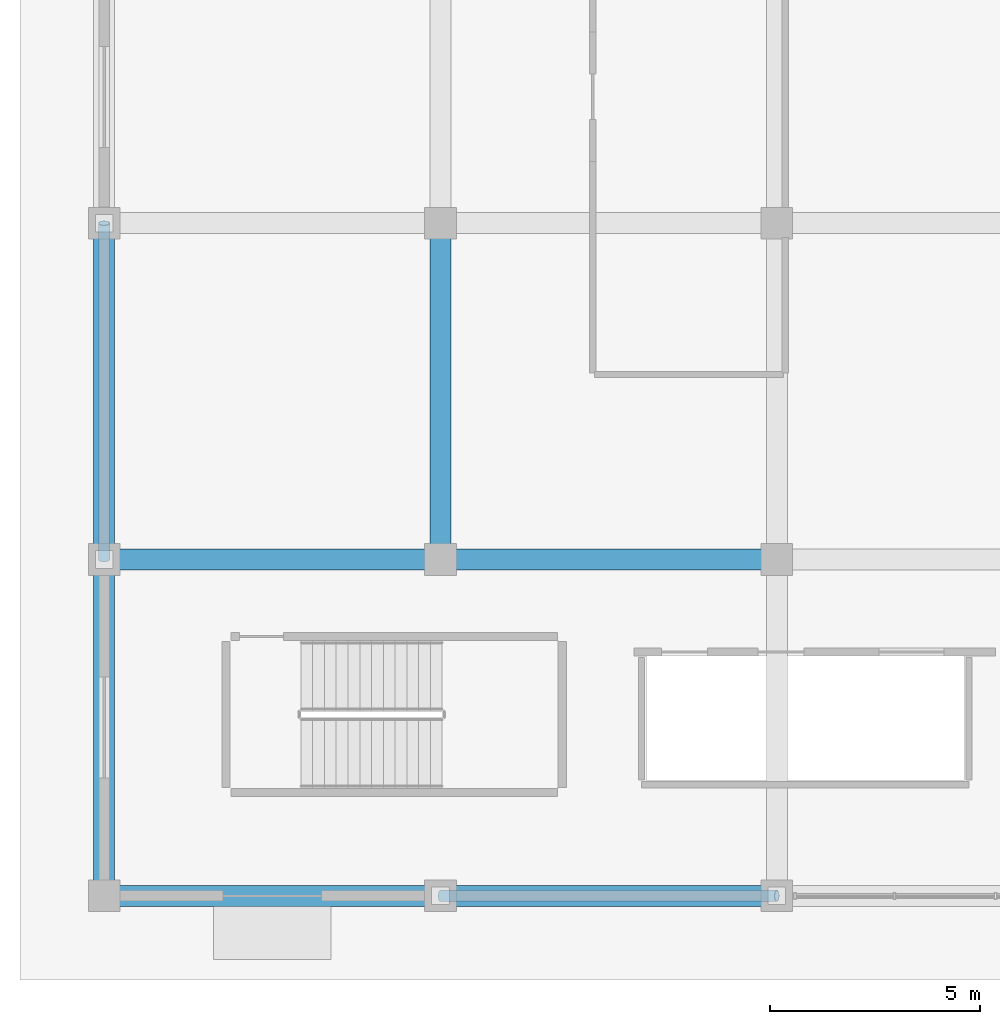
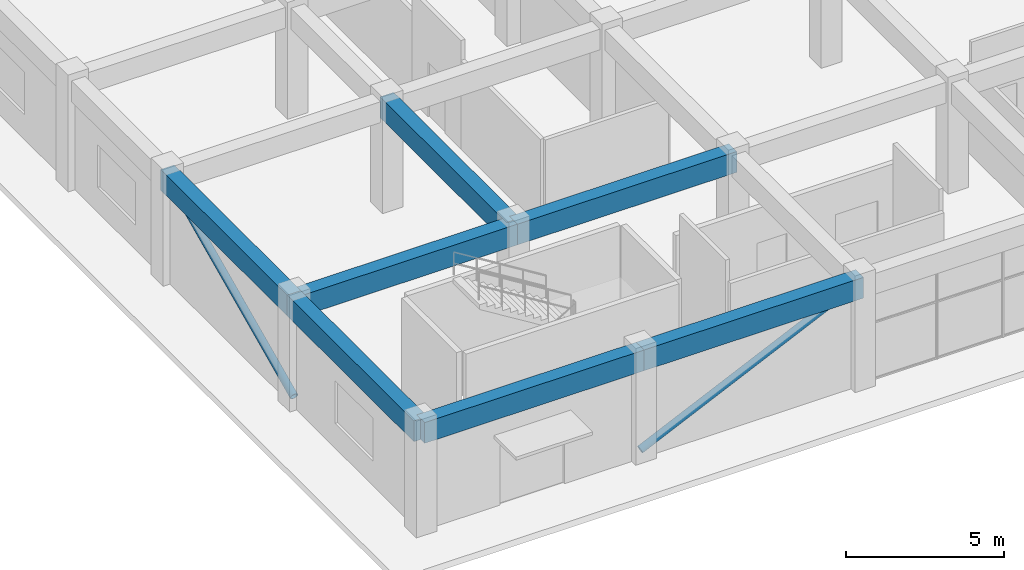
# One storey, part 5 of 40: 7 beams, 2 members.
"""IFC4 building model written with IfcOpenShell, lengths in metres."""

import ifcopenshell
import ifcopenshell.guid

model = None  # the IFC model being written
_history = None  # IfcOwnerHistory: only IFC2X3 demands one
_inside = {}  # id of a spatial element -> (the spatial element, [elements in it])
_under = {}  # id of a project, library or spatial element -> (it, [spatial elements below it])
_declared = {}  # id of a project -> (the project, [libraries it declares])
_typed = {}  # id of a type object -> (the type object, [elements of that type])
_made_of = {}  # id of a material, layer set ... -> (it, [elements and type objects made of it])


def new_model(schema):
    """Start an empty IFC model of exactly this schema.

    Asked for "IFC4X3", IfcOpenShell would pick the latest addendum, in which some entities
    have other attributes; the version numbers below select the first issue.
    IFC2X3 requires an IfcOwnerHistory on every rooted entity: one is made here for all.
    """
    global model, _history
    if schema == "IFC4X3":
        model = ifcopenshell.file(schema_version=(4, 3, 0, 0))
    else:
        model = ifcopenshell.file(schema=schema)
    _inside.clear()
    _under.clear()
    _declared.clear()
    _typed.clear()
    _made_of.clear()
    _history = None
    if model.schema == "IFC2X3":
        org = make("IfcOrganization", Name="unknown")
        user = make(
            "IfcPersonAndOrganization",
            ThePerson=make("IfcPerson", FamilyName="unknown"),
            TheOrganization=org,
        )
        app = make(
            "IfcApplication",
            ApplicationDeveloper=org,
            Version="unknown",
            ApplicationFullName="unknown",
            ApplicationIdentifier="unknown",
        )
        _history = make(
            "IfcOwnerHistory",
            OwningUser=user,
            OwningApplication=app,
            ChangeAction="ADDED",
            CreationDate=0,
        )
    return model


def make(cls, **values):
    """One entity of the class cls with the attributes given. An attribute that is None is left unset."""
    return model.create_entity(
        cls, **{name: value for name, value in values.items() if value is not None}
    )


def rooted(cls, **values):
    """An entity with a GlobalId (a new one), such as an element, a storey or a relation."""
    return make(cls, GlobalId=ifcopenshell.guid.new(), OwnerHistory=_history, **values)


def si_unit(unit_type, name, prefix=None):
    """IfcSIUnit, for example si_unit("LENGTHUNIT", "METRE", prefix="MILLI")."""
    return make("IfcSIUnit", UnitType=unit_type, Prefix=prefix, Name=name)


def assignment(units):
    """IfcUnitAssignment: the units of a project."""
    return None if units is None else make("IfcUnitAssignment", Units=units)


def point(xyz):
    """IfcCartesianPoint."""
    return None if xyz is None else make("IfcCartesianPoint", Coordinates=xyz)


def direction(xyz):
    """IfcDirection."""
    return None if xyz is None else make("IfcDirection", DirectionRatios=xyz)


def frame(location, z_axis=None, x_axis=None):
    """IfcAxis2Placement3D, a coordinate frame: its origin and axes. An axis left out is left unset."""
    return make(
        "IfcAxis2Placement3D",
        Location=point(location),
        Axis=direction(z_axis),
        RefDirection=direction(x_axis),
    )


def frame_2d(location, x_axis=None):
    """IfcAxis2Placement2D, a coordinate frame in the plane: its origin and x axis."""
    return make(
        "IfcAxis2Placement2D", Location=point(location), RefDirection=direction(x_axis)
    )


def origin():
    """The frame at (0, 0, 0) with its axes left unset."""
    return frame((0.0, 0.0, 0.0))


def origin_2d():
    """The frame at (0, 0) in the plane with its x axis left unset."""
    return frame_2d((0.0, 0.0))


def place(relative_to, where):
    """IfcLocalPlacement: puts the frame where relative to a parent placement (None: the world)."""
    return make(
        "IfcLocalPlacement", PlacementRelTo=relative_to, RelativePlacement=where
    )


def context(
    kind, dimensions, precision=None, world=None, true_north=None, identifier=None
):
    """IfcGeometricRepresentationContext, for example the 3D "Model" context."""
    return make(
        "IfcGeometricRepresentationContext",
        ContextIdentifier=identifier,
        ContextType=kind,
        CoordinateSpaceDimension=dimensions,
        Precision=precision,
        WorldCoordinateSystem=world,
        TrueNorth=true_north,
    )


def subcontext(parent, identifier, kind, view, scale=None):
    """IfcGeometricRepresentationSubContext, for example "Body" below "Model"."""
    return make(
        "IfcGeometricRepresentationSubContext",
        ContextIdentifier=identifier,
        ContextType=kind,
        ParentContext=parent,
        TargetScale=scale,
        TargetView=view,
    )


def project(units=None, contexts=None):
    """IfcProject with its units and contexts."""
    return rooted(
        "IfcProject",
        Name="project",
        RepresentationContexts=contexts,
        UnitsInContext=assignment(units),
    )


def spatial(cls, under=None, at=None, **own):
    """A site, building, storey or space (cls), placed at a placement, below another one or the project."""
    s = rooted(cls, ObjectPlacement=at, **own)
    if under is not None:
        _under.setdefault(under.id(), (under, []))[1].append(s)
    return s


def profile(cls, at=None, kind="AREA", **sizes):
    """A parametric profile (cls). Its sizes go by their IFC names, for example OverallWidth=200.0."""
    return make(cls, ProfileType=kind, Position=at, **sizes)


def rectangle(**sizes):
    """IfcRectangleProfileDef."""
    return profile("IfcRectangleProfileDef", **sizes)


def hollow_circle(**sizes):
    """IfcCircleHollowProfileDef."""
    return profile("IfcCircleHollowProfileDef", **sizes)


def extrude(swept, where, along, depth):
    """IfcExtrudedAreaSolid: the profile swept, set in the frame where, extruded along a direction by depth."""
    return make(
        "IfcExtrudedAreaSolid",
        SweptArea=swept,
        Position=where,
        ExtrudedDirection=direction(along),
        Depth=depth,
    )


def shape(context_of_items, identifier, shape_type, items):
    """IfcShapeRepresentation: the items that make up one representation, for example the "Body"."""
    return make(
        "IfcShapeRepresentation",
        ContextOfItems=context_of_items,
        RepresentationIdentifier=identifier,
        RepresentationType=shape_type,
        Items=items,
    )


def material(Name=None, Category=None):
    """IfcMaterial."""
    return make("IfcMaterial", Name=Name, Category=Category)


def material_profile(
    of_material, cross_section, Name=None, Category=None, Priority=None
):
    """IfcMaterialProfile: a cross section and its material."""
    return make(
        "IfcMaterialProfile",
        Name=Name,
        Material=of_material,
        Profile=cross_section,
        Priority=Priority,
        Category=Category,
    )


def profile_set(profiles, Name=None, composite=None):
    """IfcMaterialProfileSet."""
    return make(
        "IfcMaterialProfileSet",
        Name=Name,
        MaterialProfiles=profiles,
        CompositeProfile=composite,
    )


def made_of(thing, what):
    """Note that an element or type object is made of a material, layer set ...; save() writes the relation."""
    if what is not None:
        _made_of.setdefault(what.id(), (what, []))[1].append(thing)
    return thing


def type_object(cls, material=None, **own):
    """A type object (cls), such as IfcWallType, which elements share."""
    return made_of(rooted(cls, **own), material)


def element(
    cls,
    number,
    at=None,
    inside=None,
    cuts=None,
    type_object=None,
    material=None,
    context=None,
    identifier="Body",
    shape_type=None,
    held_by="IfcProductDefinitionShape",
    body=None,
    shapes=None,
    **own,
):
    """One element of the class cls, such as IfcWall. Its Tag is "e" and its number.

    at: its placement. inside: the storey or other place that contains it. cuts: it is an
    opening in that element (IfcRelVoidsElement). A single representation is given by context,
    identifier, shape_type and body (its items); several are given by shapes. held_by: the class
    of the entity that holds the representations. save() writes the other relations.
    """
    e = rooted(cls, Tag="e%d" % number, ObjectPlacement=at, **own)
    if body is not None:
        shapes = [shape(context, identifier, shape_type, body)]
    if shapes is not None:
        e.Representation = make(held_by, Representations=shapes)
    if inside is not None:
        _inside.setdefault(inside.id(), (inside, []))[1].append(e)
    if cuts is not None:
        rooted(
            "IfcRelVoidsElement", RelatingBuildingElement=cuts, RelatedOpeningElement=e
        )
    if type_object is not None:
        _typed.setdefault(type_object.id(), (type_object, []))[1].append(e)
    return made_of(e, material)


def aggregate(whole, parts):
    """IfcRelAggregates: a whole, such as a stair, and the parts it consists of."""
    return rooted("IfcRelAggregates", RelatingObject=whole, RelatedObjects=parts)


def save(model, path):
    """Write the relations noted so far, then the file.

    IfcRelAggregates (storeys below a building ...), IfcRelContainedInSpatialStructure (elements
    in a storey), IfcRelDefinesByType, IfcRelAssociatesMaterial and IfcRelDeclares: one each for
    every whole, place, type object, material and project.
    """
    for whole, parts in _under.values():
        aggregate(whole, parts)
    for where, things in _inside.values():
        rooted(
            "IfcRelContainedInSpatialStructure",
            RelatedElements=things,
            RelatingStructure=where,
        )
    for kind, things in _typed.values():
        rooted("IfcRelDefinesByType", RelatedObjects=things, RelatingType=kind)
    for what, things in _made_of.values():
        rooted("IfcRelAssociatesMaterial", RelatedObjects=things, RelatingMaterial=what)
    for by, libraries in _declared.values():
        rooted("IfcRelDeclares", RelatingContext=by, RelatedDefinitions=libraries)
    model.write(path)


model = new_model("IFC4")

# Units and contexts
model_context = context("Model", 3, precision=1e-05, world=origin(), true_north=direction((0.0, 1.0)))
body_context = subcontext(model_context, "Body", "Model", "MODEL_VIEW")
ifc_project = project(units=[si_unit("LENGTHUNIT", "METRE"), si_unit("AREAUNIT", "SQUARE_METRE"), si_unit("VOLUMEUNIT", "CUBIC_METRE"), si_unit("PLANEANGLEUNIT", "RADIAN"), si_unit("MASSUNIT", "GRAM", prefix="KILO")], contexts=[model_context])

# Site, building, storey
site_placement = place(None, origin())
site = spatial("IfcSite", under=ifc_project, at=site_placement, CompositionType="ELEMENT")
building_placement = place(site_placement, origin())
building = spatial("IfcBuilding", under=site, at=building_placement, Name="Kelanora Arch Commons", CompositionType="ELEMENT")
storey_placement = place(building_placement, origin())
storey = spatial("IfcBuildingStorey", under=building, at=storey_placement, Name="L00", CompositionType="ELEMENT", Elevation=0.0)

# Beams
ifc_material_1 = material(Name="Concrete C40/50", Category="concrete")
ifc_material_profile_1 = material_profile(ifc_material_1, rectangle(XDim=0.5, YDim=0.800048828125, at=origin_2d()), Name="RCB500x800")
ifc_profile_set_1 = profile_set([ifc_material_profile_1], Name="Concrete C40/50")
beam_type = type_object("IfcBeamType", Name="BM-MKT-RC1", PredefinedType="BEAM", material=ifc_profile_set_1)
for number, where, z_axis, x_axis, name in (
    (1, (4.0, 4.0, 3.840087890625), (1.0, 0.0, 0.0), (0.0, 1.0, 0.0), "Market/Basement Frame Beam 001 L00"),
    (2, (4.0, 4.0, 3.840087890625), (0.0, 1.0, 0.0), (-1.0, 0.0, 0.0), "Market/Basement Frame Beam 002 L00"),
    (3, (4.0, 12.0, 3.840087890625), (1.0, 0.0, 0.0), (0.0, 1.0, 0.0), "Market/Basement Frame Beam 003 L00"),
    (4, (4.0, 12.0, 3.840087890625), (0.0, 1.0, 0.0), (-1.0, 0.0, 0.0), "Market/Basement Frame Beam 004 L00"),
    (5, (12.0, 4.0, 3.840087890625), (1.0, 0.0, 0.0), (0.0, 1.0, 0.0), "Market/Basement Frame Beam 021 L00"),
    (6, (12.0, 12.0, 3.840087890625), (1.0, 0.0, 0.0), (0.0, 1.0, 0.0), "Market/Basement Frame Beam 022 L00"),
    (7, (12.0, 12.0, 3.840087890625), (0.0, 1.0, 0.0), (-1.0, 0.0, 0.0), "Market/Basement Frame Beam 023 L00"),
):
    element("IfcBeam", number, at=place(storey_placement, frame(where, z_axis=z_axis, x_axis=x_axis)), inside=storey, type_object=beam_type, Name=name, PredefinedType="BEAM", context=body_context, shape_type="SweptSolid", body=[
        extrude(rectangle(XDim=0.5, YDim=0.800048828125, at=origin_2d()), origin(), (0.0, 0.0, 1.0), 8.0),
    ])

# Members
ifc_material_2 = material(Name="Steel S355", Category="steel")
ifc_material_profile_2 = material_profile(ifc_material_2, hollow_circle(Radius=0.136474609375, WallThickness=0.012451171875, at=origin_2d()), Name="CHS273x12.5")
ifc_profile_set_2 = profile_set([ifc_material_profile_2], Name="Steel S355")
member_type = type_object("IfcMemberType", Name="MEM-MKT-BRACE", PredefinedType="BRACE", material=ifc_profile_set_2)
for number, where, z_axis, x_axis, name in (
    (8, (12.0, 4.0, 0.25), (0.907629151412, 0.0, 0.419772942799), (0.0, 1.0, 0.0), "Market Hall Lateral Brace 01 L00"),
    (9, (4.0, 12.0, 0.25), (0.0, 0.907629151412, 0.419772942799), (-1.0, 0.0, 0.0), "Market Hall Lateral Brace 03 L00"),
):
    element("IfcMember", number, at=place(storey_placement, frame(where, z_axis=z_axis, x_axis=x_axis)), inside=storey, type_object=member_type, Name=name, PredefinedType="BRACE", context=body_context, shape_type="SweptSolid", body=[
        extrude(hollow_circle(Radius=0.136474609375, WallThickness=0.012451171875, at=origin_2d()), origin(), (0.0, 0.0, 1.0), 8.814208984375),
    ])

save(model, "model.ifc")
